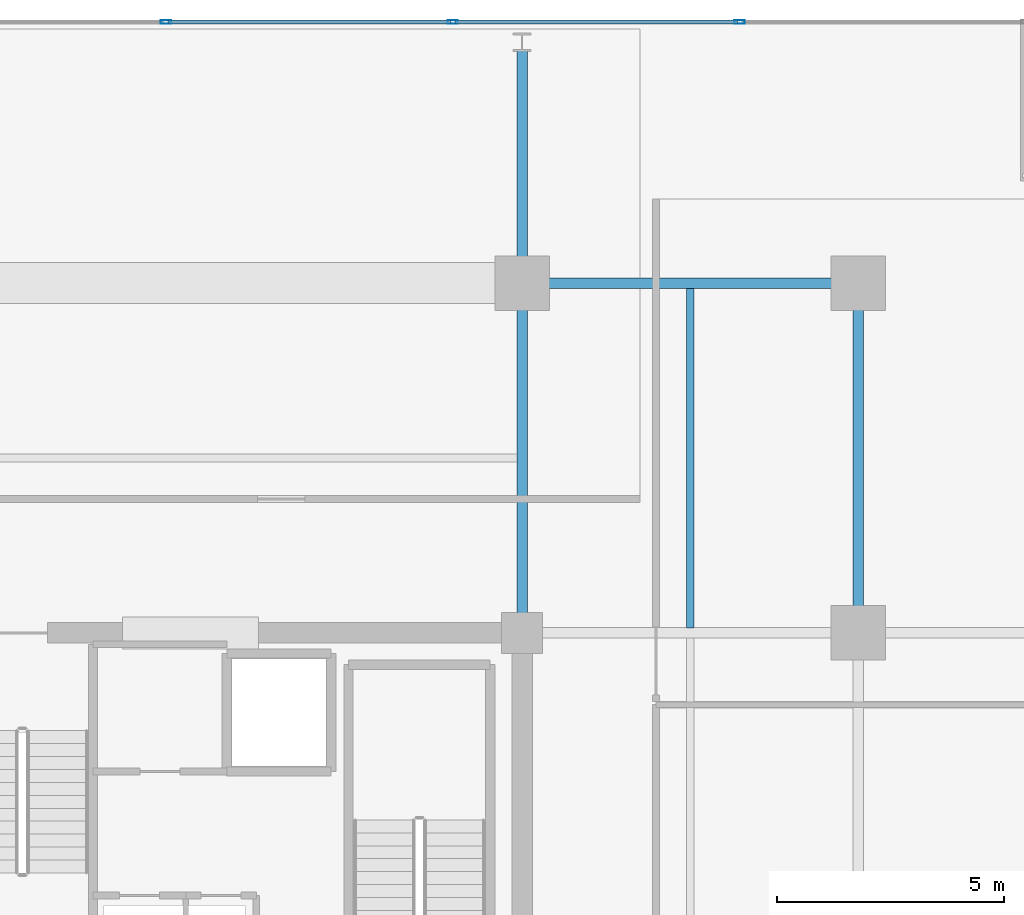
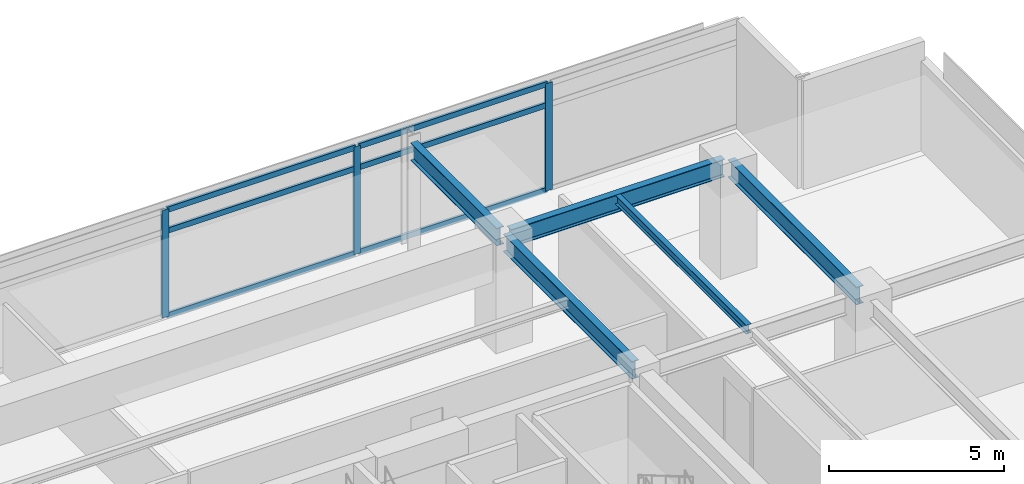
# One storey, part 12 of 24: 9 members, 5 beams, 1 element without a shape of its own.
"""IFC4 building model written with IfcOpenShell, lengths in metres."""

from ifc_helpers import new_model, si_unit, direction, frame, origin, origin_2d, place, context, subcontext, project, spatial, hollow_rectangle, i_section, extrude, material, material_profile, profile_set, type_object, element, aggregate, save


model = new_model("IFC4")

# Units and contexts
model_context = context("Model", 3, precision=1e-05, world=origin(), true_north=direction((0.0, 1.0)))
body_context = subcontext(model_context, "Body", "Model", "MODEL_VIEW")
ifc_project = project(units=[si_unit("LENGTHUNIT", "METRE"), si_unit("AREAUNIT", "SQUARE_METRE"), si_unit("VOLUMEUNIT", "CUBIC_METRE"), si_unit("PLANEANGLEUNIT", "RADIAN"), si_unit("MASSUNIT", "GRAM", prefix="KILO")], contexts=[model_context])

# Site, building, storey
site_placement = place(None, origin())
site = spatial("IfcSite", under=ifc_project, at=site_placement, CompositionType="ELEMENT")
building_placement = place(site_placement, origin())
building = spatial("IfcBuilding", under=site, at=building_placement, Name="Kovane Verandah Tower", CompositionType="ELEMENT")
storey_placement = place(building_placement, frame((0.0, 0.0, 271.199951171875)))
storey = spatial("IfcBuildingStorey", under=building, at=storey_placement, Name="L63", CompositionType="ELEMENT", Elevation=271.199951171875)

# Beams
ifc_material_1 = material(Name="Steel S355", Category="steel")
ifc_material_profile_1 = material_profile(ifc_material_1, i_section(OverallWidth=0.230224609375, OverallDepth=0.6171875, WebThickness=0.01318359375, FlangeThickness=0.022216796875, FilletRadius=0.0126953125, at=origin_2d()), Name="UB610x229x140")
ifc_profile_set_1 = profile_set([ifc_material_profile_1], Name="Steel S355")
beam_type_1 = type_object("IfcBeamType", Name="BM-UB610x140", PredefinedType="BEAM", material=ifc_profile_set_1)
beam_1_placement = place(storey_placement, frame((51.179931640625, 44.199951171875, 3.4765625), z_axis=(1.0, 0.0, 0.0), x_axis=(0.0, 1.0, 0.0)))
element("IfcBeam", 1, at=beam_1_placement, inside=storey, type_object=beam_type_1, Name="L63 Primary Tower Girder G-RN3", PredefinedType="BEAM", context=body_context, shape_type="SweptSolid", body=[
    extrude(i_section(OverallWidth=0.230224609375, OverallDepth=0.6171875, WebThickness=0.01318359375, FlangeThickness=0.022216796875, FilletRadius=0.0126953125, at=origin_2d()), origin(), (0.0, 0.0, 1.0), 7.0400390625),
])
for number, where, z_axis, x_axis, name in (
    (2, (58.39990234375, 36.679931640625, 3.4765625), (0.0, 1.0, 0.0), (-1.0, 0.0, 0.0), "L63 Primary Tower Girder G-RE3"),
    (3, (51.0, 36.679931640625, 3.4765625), (0.0, 1.0, 0.0), (-1.0, 0.0, 0.0), "L63 Primary Tower Girder G-N2"),
):
    element("IfcBeam", number, at=place(storey_placement, frame(where, z_axis=z_axis, x_axis=x_axis)), inside=storey, type_object=beam_type_1, Name=name, PredefinedType="BEAM", context=body_context, shape_type="SweptSolid", body=[
        extrude(i_section(OverallWidth=0.230224609375, OverallDepth=0.6171875, WebThickness=0.01318359375, FlangeThickness=0.022216796875, FilletRadius=0.0126953125, at=origin_2d()), origin(), (0.0, 0.0, 1.0), 7.340087890625),
    ])
beam_2_placement = place(storey_placement, frame((51.0, 44.3798828125, 3.451416015625), z_axis=(0.0, 1.0, 0.0), x_axis=(-1.0, 0.0, 0.0)))
element("IfcBeam", 4, at=beam_2_placement, inside=storey, type_object=beam_type_1, Name="L63 Primary Tower Girder G-VN2", PredefinedType="BEAM", context=body_context, shape_type="SweptSolid", body=[
    extrude(i_section(OverallWidth=0.230224609375, OverallDepth=0.6171875, WebThickness=0.01318359375, FlangeThickness=0.022216796875, FilletRadius=0.0126953125, at=origin_2d()), origin(), (0.0, 0.0, 1.0), 4.940185546875),
])

# Curtain wall, members
ifc_material_2 = material(Name="Champagne Anodised Aluminium Frame with Low-E Clear Laminated Glass", Category="aluminium")
curtain_wall_type = type_object("IfcCurtainWallType", Name="CW-SYS-05-HIGH", PredefinedType="NOTDEFINED", material=ifc_material_2)
curtain_wall_placement = place(storey_placement, origin())
curtain_wall = element("IfcCurtainWall", 5, at=curtain_wall_placement, inside=storey, type_object=curtain_wall_type, Name="L63 N Unitised Curtain Wall", PredefinedType="NOTDEFINED")
ifc_material_3 = material(Name="Champagne Anodised Aluminium 6063-T6", Category="aluminium")
ifc_material_profile_2 = material_profile(ifc_material_3, hollow_rectangle(XDim=0.0849609375, YDim=0.22998046875, WallThickness=0.00390625, at=origin_2d()), Name="AL85x230x4")
ifc_profile_set_2 = profile_set([ifc_material_profile_2], Name="Champagne Anodised Aluminium 6063-T6")
member_type_1 = type_object("IfcMemberType", Name="CW-MUL-85x230", PredefinedType="MULLION", material=ifc_profile_set_2)
member_1_placement = place(storey_placement, frame((55.791015625, 49.94970703125, 0.02001953125), z_axis=(0.0, 0.0, 1.0), x_axis=(0.0, 1.0, 0.0)))
member_1 = element("IfcMember", 6, at=member_1_placement, type_object=member_type_1, Name="L63 N Unitised Curtain Wall Mullion 2", PredefinedType="MULLION", context=body_context, shape_type="SweptSolid", body=[
    extrude(hollow_rectangle(XDim=0.0849609375, YDim=0.22998046875, WallThickness=0.00390625, at=origin_2d()), origin(), (0.0, 0.0, 1.0), 3.7451171875),
])
member_2_placement = place(storey_placement, frame((49.474609375, 49.94970703125, 0.02001953125), z_axis=(0.0, 0.0, 1.0), x_axis=(0.0, 1.0, 0.0)))
member_2 = element("IfcMember", 7, at=member_2_placement, type_object=member_type_1, Name="L63 N Unitised Curtain Wall Mullion 3", PredefinedType="MULLION", context=body_context, shape_type="SweptSolid", body=[
    extrude(hollow_rectangle(XDim=0.0849609375, YDim=0.22998046875, WallThickness=0.00390625, at=origin_2d()), origin(), (0.0, 0.0, 1.0), 3.7451171875),
])
member_3_placement = place(storey_placement, frame((43.158203125, 49.94970703125, 0.02001953125), z_axis=(0.0, 0.0, 1.0), x_axis=(0.0, 1.0, 0.0)))
member_3 = element("IfcMember", 8, at=member_3_placement, type_object=member_type_1, Name="L63 N Unitised Curtain Wall Mullion 4", PredefinedType="MULLION", context=body_context, shape_type="SweptSolid", body=[
    extrude(hollow_rectangle(XDim=0.0849609375, YDim=0.22998046875, WallThickness=0.00390625, at=origin_2d()), origin(), (0.0, 0.0, 1.0), 3.7451171875),
])
ifc_material_profile_3 = material_profile(ifc_material_3, hollow_rectangle(XDim=0.0849609375, YDim=0.18994140625, WallThickness=0.00390625, at=origin_2d()), Name="AL85x190x4")
ifc_profile_set_3 = profile_set([ifc_material_profile_3], Name="Champagne Anodised Aluminium 6063-T6")
member_type_2 = type_object("IfcMemberType", Name="CW-TRN-85x190", PredefinedType="USERDEFINED", material=ifc_profile_set_3)
member_4_placement = place(storey_placement, frame((55.740966796875, 49.94970703125, 0.050048828125), z_axis=(-1.0, 0.0, 0.0), x_axis=(0.0, -1.0, 0.0)))
member_4 = element("IfcMember", 9, at=member_4_placement, type_object=member_type_2, Name="L63 N Unitised Curtain Wall Transom TB Bay 2", ObjectType="TRANSOM", PredefinedType="USERDEFINED", context=body_context, shape_type="SweptSolid", body=[
    extrude(hollow_rectangle(XDim=0.0849609375, YDim=0.18994140625, WallThickness=0.00390625, at=origin_2d()), origin(), (0.0, 0.0, 1.0), 6.216552734375),
])
member_5_placement = place(storey_placement, frame((55.740966796875, 49.94970703125, 3.005126953125), z_axis=(-1.0, 0.0, 0.0), x_axis=(0.0, -1.0, 0.0)))
member_5 = element("IfcMember", 10, at=member_5_placement, type_object=member_type_2, Name="L63 N Unitised Curtain Wall Transom TM Bay 2", ObjectType="TRANSOM", PredefinedType="USERDEFINED", context=body_context, shape_type="SweptSolid", body=[
    extrude(hollow_rectangle(XDim=0.0849609375, YDim=0.18994140625, WallThickness=0.00390625, at=origin_2d()), origin(), (0.0, 0.0, 1.0), 6.216552734375),
])
member_6_placement = place(storey_placement, frame((55.740966796875, 49.94970703125, 3.735107421875), z_axis=(-1.0, 0.0, 0.0), x_axis=(0.0, -1.0, 0.0)))
member_6 = element("IfcMember", 11, at=member_6_placement, type_object=member_type_2, Name="L63 N Unitised Curtain Wall Transom TT Bay 2", ObjectType="TRANSOM", PredefinedType="USERDEFINED", context=body_context, shape_type="SweptSolid", body=[
    extrude(hollow_rectangle(XDim=0.0849609375, YDim=0.18994140625, WallThickness=0.00390625, at=origin_2d()), origin(), (0.0, 0.0, 1.0), 6.216552734375),
])
member_7_placement = place(storey_placement, frame((49.424560546875, 49.94970703125, 0.050048828125), z_axis=(-1.0, 0.0, 0.0), x_axis=(0.0, -1.0, 0.0)))
member_7 = element("IfcMember", 12, at=member_7_placement, type_object=member_type_2, Name="L63 N Unitised Curtain Wall Transom TB Bay 3", ObjectType="TRANSOM", PredefinedType="USERDEFINED", context=body_context, shape_type="SweptSolid", body=[
    extrude(hollow_rectangle(XDim=0.0849609375, YDim=0.18994140625, WallThickness=0.00390625, at=origin_2d()), origin(), (0.0, 0.0, 1.0), 6.21630859375),
])
member_8_placement = place(storey_placement, frame((49.424560546875, 49.94970703125, 3.005126953125), z_axis=(-1.0, 0.0, 0.0), x_axis=(0.0, -1.0, 0.0)))
member_8 = element("IfcMember", 13, at=member_8_placement, type_object=member_type_2, Name="L63 N Unitised Curtain Wall Transom TM Bay 3", ObjectType="TRANSOM", PredefinedType="USERDEFINED", context=body_context, shape_type="SweptSolid", body=[
    extrude(hollow_rectangle(XDim=0.0849609375, YDim=0.18994140625, WallThickness=0.00390625, at=origin_2d()), origin(), (0.0, 0.0, 1.0), 6.21630859375),
])
member_9_placement = place(storey_placement, frame((49.424560546875, 49.94970703125, 3.735107421875), z_axis=(-1.0, 0.0, 0.0), x_axis=(0.0, -1.0, 0.0)))
member_9 = element("IfcMember", 14, at=member_9_placement, type_object=member_type_2, Name="L63 N Unitised Curtain Wall Transom TT Bay 3", ObjectType="TRANSOM", PredefinedType="USERDEFINED", context=body_context, shape_type="SweptSolid", body=[
    extrude(hollow_rectangle(XDim=0.0849609375, YDim=0.18994140625, WallThickness=0.00390625, at=origin_2d()), origin(), (0.0, 0.0, 1.0), 6.21630859375),
])
aggregate(curtain_wall, [member_1, member_2, member_3, member_4, member_5, member_6, member_7, member_8, member_9])

# Beam
ifc_material_profile_4 = material_profile(ifc_material_1, i_section(OverallWidth=0.1669921875, OverallDepth=0.310302734375, WebThickness=0.0078125, FlangeThickness=0.013671875, FilletRadius=0.0087890625, at=origin_2d()), Name="UB305x165x54")
ifc_profile_set_4 = profile_set([ifc_material_profile_4], Name="Steel S355")
beam_type_2 = type_object("IfcBeamType", Name="JST-UB305x54", PredefinedType="JOIST", material=ifc_profile_set_4)
beam_3_placement = place(storey_placement, frame((54.699951171875, 36.613037109375, 3.6298828125), z_axis=(0.0, 1.0, 0.0), x_axis=(-1.0, 0.0, 0.0)))
element("IfcBeam", 15, at=beam_3_placement, inside=storey, type_object=beam_type_2, Name="L63 Secondary Composite Joist J-NE1", PredefinedType="JOIST", context=body_context, shape_type="SweptSolid", body=[
    extrude(i_section(OverallWidth=0.1669921875, OverallDepth=0.310302734375, WebThickness=0.0078125, FlangeThickness=0.013671875, FilletRadius=0.0087890625, at=origin_2d()), origin(), (0.0, 0.0, 1.0), 7.473876953125),
])

save(model, "model.ifc")
